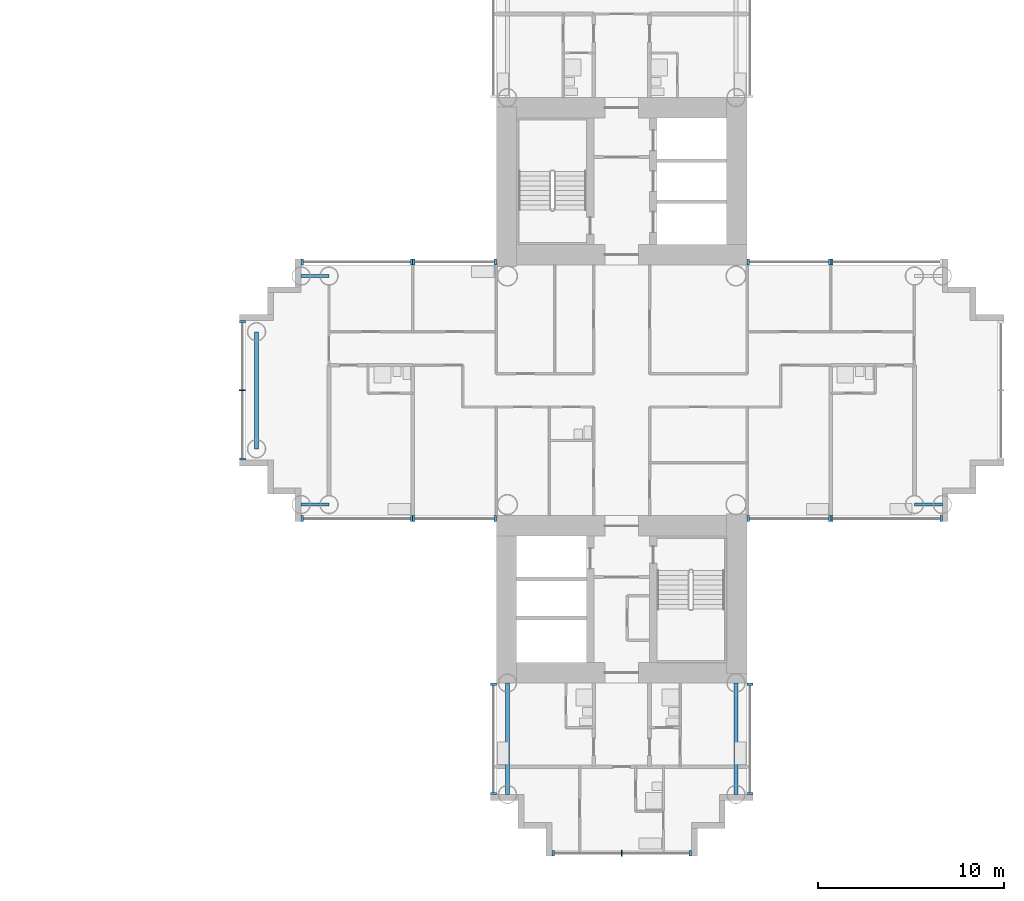
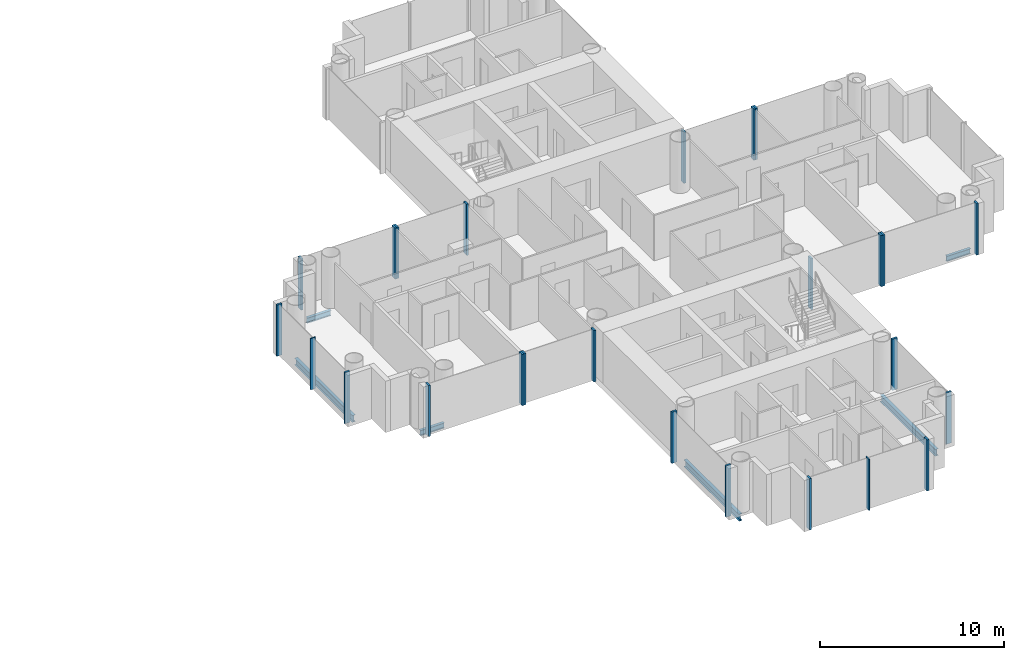
# One storey, part 5 of 21: 25 members, 6 beams, 12 elements without a shape of their own.
"""IFC4 building model written with IfcOpenShell, lengths in metres."""

from ifc_helpers import new_model, si_unit, direction, frame, origin, origin_2d, place, context, subcontext, project, spatial, rectangle, i_section, extrude, material, layer, layer_set, material_profile, profile_set, type_object, element, aggregate, save


model = new_model("IFC4")

# Units and contexts
model_context = context("Model", 3, precision=1e-05, world=origin(), true_north=direction((0.0, 1.0)))
body_context = subcontext(model_context, "Body", "Model", "MODEL_VIEW")
ifc_project = project(units=[si_unit("LENGTHUNIT", "METRE"), si_unit("AREAUNIT", "SQUARE_METRE"), si_unit("VOLUMEUNIT", "CUBIC_METRE"), si_unit("PLANEANGLEUNIT", "RADIAN"), si_unit("MASSUNIT", "GRAM", prefix="KILO")], contexts=[model_context])

# Site, building, storey
site_placement = place(None, origin())
site = spatial("IfcSite", under=ifc_project, at=site_placement, CompositionType="ELEMENT")
building_placement = place(site_placement, origin())
building = spatial("IfcBuilding", under=site, at=building_placement, Name="Ipe Terrace Towers", CompositionType="ELEMENT")
storey_placement = place(building_placement, frame((0.0, 0.0, 48.300048828125)))
storey = spatial("IfcBuildingStorey", under=building, at=storey_placement, Name="L12", CompositionType="ELEMENT", Elevation=48.300048828125)

# Beams
ifc_material_1 = material(Name="Steel S355", Category="steel")
ifc_material_profile_1 = material_profile(ifc_material_1, i_section(OverallWidth=0.175048828125, OverallDepth=0.35009765625, WebThickness=0.007080078125, FlangeThickness=0.010986328125, at=origin_2d()), Name="H-350x175x7x11")
ifc_profile_set_1 = profile_set([ifc_material_profile_1], Name="Steel S355")
beam_type_1 = type_object("IfcBeamType", Name="H04 EDGE BEAM H-350x175x7x11", PredefinedType="BEAM", material=ifc_profile_set_1)
for number, where, z_axis, x_axis, name in (
    (1, (20.25, 6.14990234375, -0.574951171875), (-1.0, 0.0, 0.0), (0.0, -1.0, 0.0), "Edge beam T2-EB-B03-B05"),
    (2, (20.25, -6.14990234375, -0.574951171875), (-1.0, 0.0, 0.0), (0.0, -1.0, 0.0), "Edge beam T2-EB-B04-B06"),
    (3, (51.75, -6.14990234375, -0.574951171875), (1.0, 0.0, 0.0), (0.0, 1.0, 0.0), "Edge beam T2-EB-D03-D05"),
):
    element("IfcBeam", number, at=place(storey_placement, frame(where, z_axis=z_axis, x_axis=x_axis)), inside=storey, type_object=beam_type_1, Name=name, PredefinedType="BEAM", context=body_context, shape_type="SweptSolid", body=[
        extrude(i_section(OverallWidth=0.175048828125, OverallDepth=0.35009765625, WebThickness=0.007080078125, FlangeThickness=0.010986328125, at=origin_2d()), origin(), (0.0, 0.0, 1.0), 1.5),
    ])
ifc_material_2 = material(Name="Steel S355", Category="steel")
ifc_material_profile_2 = material_profile(ifc_material_2, i_section(OverallWidth=0.199951171875, OverallDepth=0.449951171875, WebThickness=0.009033203125, FlangeThickness=0.013916015625, at=origin_2d()), Name="H-450x200x9x14")
ifc_profile_set_2 = profile_set([ifc_material_profile_2], Name="Steel S355")
beam_type_2 = type_object("IfcBeamType", Name="H08 EDGE BEAM H-450x200x9x14", PredefinedType="BEAM", material=ifc_profile_set_2)
beam_placement = place(storey_placement, frame((16.35009765625, 3.14990234375, -0.625), z_axis=(0.0, -1.0, 0.0), x_axis=(1.0, 0.0, 0.0)))
element("IfcBeam", 4, at=beam_placement, inside=storey, type_object=beam_type_2, Name="Edge beam T2-EB-B07-B08", PredefinedType="BEAM", context=body_context, shape_type="SweptSolid", body=[
    extrude(i_section(OverallWidth=0.199951171875, OverallDepth=0.449951171875, WebThickness=0.009033203125, FlangeThickness=0.013916015625, at=origin_2d()), origin(), (0.0, 0.0, 1.0), 6.2998046875),
])
for number, where, z_axis, x_axis, name in (
    (5, (42.14990234375, -15.75, -0.625), (0.0, -1.0, 0.0), (1.0, 0.0, 0.0), "Edge beam T2-EB-C01-C03"),
    (6, (29.85009765625, -15.75, -0.625), (0.0, -1.0, 0.0), (1.0, 0.0, 0.0), "Edge beam T2-EB-C02-C04"),
):
    element("IfcBeam", number, at=place(storey_placement, frame(where, z_axis=z_axis, x_axis=x_axis)), inside=storey, type_object=beam_type_2, Name=name, PredefinedType="BEAM", context=body_context, shape_type="SweptSolid", body=[
        extrude(i_section(OverallWidth=0.199951171875, OverallDepth=0.449951171875, WebThickness=0.009033203125, FlangeThickness=0.013916015625, at=origin_2d()), origin(), (0.0, 0.0, 1.0), 6.0),
    ])

# Curtain wall, members
ifc_material_3 = material(Name="Aluminium alloy 6063-T6", Category="aluminium")
ifc_layer = layer(ifc_material_3, 0.320068359375)
ifc_layer_set = layer_set([ifc_layer], Name="TOWER UNITISED CURTAIN WALL")
curtain_wall_type = type_object("IfcCurtainWallType", Name="TOWER UNITISED CURTAIN WALL", PredefinedType="NOTDEFINED", material=ifc_layer_set)
curtain_wall_1_placement = place(storey_placement, origin())
curtain_wall_1 = element("IfcCurtainWall", 7, at=curtain_wall_1_placement, inside=storey, type_object=curtain_wall_type, Name="T2-CW-L12-04a curtain wall", PredefinedType="NOTDEFINED")
ifc_material_4 = material(Name="Aluminium alloy 6063-T6", Category="aluminium")
ifc_material_profile_3 = material_profile(ifc_material_4, rectangle(XDim=0.320068359375, YDim=0.1201171875, at=origin_2d()), Name="TOWER UNITISED CORNER MULLION 320 x 120")
ifc_profile_set_3 = profile_set([ifc_material_profile_3], Name="Aluminium alloy 6063-T6")
member_type_1 = type_object("IfcMemberType", Name="TOWER UNITISED CORNER MULLION 320 x 120", PredefinedType="MULLION", material=ifc_profile_set_3)
member_1_placement = place(storey_placement, frame((42.909912109375, -21.68994140625, -0.300048828125), z_axis=(0.0, 0.0, 1.0), x_axis=(1.0, 0.0, 0.0)))
member_1 = element("IfcMember", 8, at=member_1_placement, type_object=member_type_1, Name="T2-CW-L12-04a mullion 1", PredefinedType="MULLION", context=body_context, shape_type="SweptSolid", body=[
    extrude(rectangle(XDim=0.320068359375, YDim=0.1201171875, at=origin_2d()), origin(), (0.0, 0.0, 1.0), 3.39990234375),
])
member_2_placement = place(storey_placement, frame((42.909912109375, -15.81103515625, -0.300048828125), z_axis=(0.0, 0.0, 1.0), x_axis=(1.0, 0.0, 0.0)))
member_2 = element("IfcMember", 9, at=member_2_placement, type_object=member_type_1, Name="T2-CW-L12-04a mullion 2", PredefinedType="MULLION", context=body_context, shape_type="SweptSolid", body=[
    extrude(rectangle(XDim=0.320068359375, YDim=0.1201171875, at=origin_2d()), origin(), (0.0, 0.0, 1.0), 3.39990234375),
])
aggregate(curtain_wall_1, [member_1, member_2])

curtain_wall_2_placement = place(storey_placement, origin())
curtain_wall_2 = element("IfcCurtainWall", 10, at=curtain_wall_2_placement, inside=storey, type_object=curtain_wall_type, Name="T2-CW-L12-06a curtain wall", PredefinedType="NOTDEFINED")
member_3_placement = place(storey_placement, frame((42.81005859375, -6.909912109375, -0.300048828125), z_axis=(0.0, 0.0, 1.0), x_axis=(0.0, -1.0, 0.0)))
member_3 = element("IfcMember", 11, at=member_3_placement, type_object=member_type_1, Name="T2-CW-L12-06a mullion 1", PredefinedType="MULLION", context=body_context, shape_type="SweptSolid", body=[
    extrude(rectangle(XDim=0.320068359375, YDim=0.1201171875, at=origin_2d()), origin(), (0.0, 0.0, 1.0), 3.39990234375),
])
member_4_placement = place(storey_placement, frame((47.18994140625, -6.909912109375, -0.300048828125), z_axis=(0.0, 0.0, 1.0), x_axis=(0.0, -1.0, 0.0)))
member_4 = element("IfcMember", 12, at=member_4_placement, type_object=member_type_1, Name="T2-CW-L12-06a mullion 2", PredefinedType="MULLION", context=body_context, shape_type="SweptSolid", body=[
    extrude(rectangle(XDim=0.320068359375, YDim=0.1201171875, at=origin_2d()), origin(), (0.0, 0.0, 1.0), 3.39990234375),
])
aggregate(curtain_wall_2, [member_3, member_4])

curtain_wall_3_placement = place(storey_placement, origin())
curtain_wall_3 = element("IfcCurtainWall", 13, at=curtain_wall_3_placement, inside=storey, type_object=curtain_wall_type, Name="T2-CW-L12-07a curtain wall", PredefinedType="NOTDEFINED")
member_5_placement = place(storey_placement, frame((47.31005859375, -6.909912109375, -0.300048828125), z_axis=(0.0, 0.0, 1.0), x_axis=(0.0, -1.0, 0.0)))
member_5 = element("IfcMember", 14, at=member_5_placement, type_object=member_type_1, Name="T2-CW-L12-07a mullion 1", PredefinedType="MULLION", context=body_context, shape_type="SweptSolid", body=[
    extrude(rectangle(XDim=0.320068359375, YDim=0.1201171875, at=origin_2d()), origin(), (0.0, 0.0, 1.0), 3.39990234375),
])
member_6_placement = place(storey_placement, frame((53.18994140625, -6.909912109375, -0.300048828125), z_axis=(0.0, 0.0, 1.0), x_axis=(0.0, -1.0, 0.0)))
member_6 = element("IfcMember", 15, at=member_6_placement, type_object=member_type_1, Name="T2-CW-L12-07a mullion 2", PredefinedType="MULLION", context=body_context, shape_type="SweptSolid", body=[
    extrude(rectangle(XDim=0.320068359375, YDim=0.1201171875, at=origin_2d()), origin(), (0.0, 0.0, 1.0), 3.39990234375),
])
aggregate(curtain_wall_3, [member_5, member_6])

# Curtain wall, member
curtain_wall_4_placement = place(storey_placement, origin())
curtain_wall_4 = element("IfcCurtainWall", 16, at=curtain_wall_4_placement, inside=storey, type_object=curtain_wall_type, Name="T2-CW-L12-17a curtain wall", PredefinedType="NOTDEFINED")
member_7_placement = place(storey_placement, frame((47.31005859375, 6.909912109375, -0.300048828125), z_axis=(0.0, 0.0, 1.0), x_axis=(0.0, 1.0, 0.0)))
member_7 = element("IfcMember", 17, at=member_7_placement, type_object=member_type_1, Name="T2-CW-L12-17a mullion 2", PredefinedType="MULLION", context=body_context, shape_type="SweptSolid", body=[
    extrude(rectangle(XDim=0.320068359375, YDim=0.1201171875, at=origin_2d()), origin(), (0.0, 0.0, 1.0), 3.39990234375),
])
aggregate(curtain_wall_4, [member_7])

# Curtain wall, members
curtain_wall_5_placement = place(storey_placement, origin())
curtain_wall_5 = element("IfcCurtainWall", 18, at=curtain_wall_5_placement, inside=storey, type_object=curtain_wall_type, Name="T2-CW-L12-18a curtain wall", PredefinedType="NOTDEFINED")
member_8_placement = place(storey_placement, frame((47.18994140625, 6.909912109375, -0.300048828125), z_axis=(0.0, 0.0, 1.0), x_axis=(0.0, 1.0, 0.0)))
member_8 = element("IfcMember", 19, at=member_8_placement, type_object=member_type_1, Name="T2-CW-L12-18a mullion 1", PredefinedType="MULLION", context=body_context, shape_type="SweptSolid", body=[
    extrude(rectangle(XDim=0.320068359375, YDim=0.1201171875, at=origin_2d()), origin(), (0.0, 0.0, 1.0), 3.39990234375),
])
member_9_placement = place(storey_placement, frame((42.81005859375, 6.909912109375, -0.300048828125), z_axis=(0.0, 0.0, 1.0), x_axis=(0.0, 1.0, 0.0)))
member_9 = element("IfcMember", 20, at=member_9_placement, type_object=member_type_1, Name="T2-CW-L12-18a mullion 2", PredefinedType="MULLION", context=body_context, shape_type="SweptSolid", body=[
    extrude(rectangle(XDim=0.320068359375, YDim=0.1201171875, at=origin_2d()), origin(), (0.0, 0.0, 1.0), 3.39990234375),
])
aggregate(curtain_wall_5, [member_8, member_9])

curtain_wall_6_placement = place(storey_placement, origin())
curtain_wall_6 = element("IfcCurtainWall", 21, at=curtain_wall_6_placement, inside=storey, type_object=curtain_wall_type, Name="T2-CW-L12-32a curtain wall", PredefinedType="NOTDEFINED")
member_10_placement = place(storey_placement, frame((29.18994140625, 6.909912109375, -0.300048828125), z_axis=(0.0, 0.0, 1.0), x_axis=(0.0, 1.0, 0.0)))
member_10 = element("IfcMember", 22, at=member_10_placement, type_object=member_type_1, Name="T2-CW-L12-32a mullion 1", PredefinedType="MULLION", context=body_context, shape_type="SweptSolid", body=[
    extrude(rectangle(XDim=0.320068359375, YDim=0.1201171875, at=origin_2d()), origin(), (0.0, 0.0, 1.0), 3.39990234375),
])
member_11_placement = place(storey_placement, frame((24.81005859375, 6.909912109375, -0.300048828125), z_axis=(0.0, 0.0, 1.0), x_axis=(0.0, 1.0, 0.0)))
member_11 = element("IfcMember", 23, at=member_11_placement, type_object=member_type_1, Name="T2-CW-L12-32a mullion 2", PredefinedType="MULLION", context=body_context, shape_type="SweptSolid", body=[
    extrude(rectangle(XDim=0.320068359375, YDim=0.1201171875, at=origin_2d()), origin(), (0.0, 0.0, 1.0), 3.39990234375),
])
aggregate(curtain_wall_6, [member_10, member_11])

curtain_wall_7_placement = place(storey_placement, origin())
curtain_wall_7 = element("IfcCurtainWall", 24, at=curtain_wall_7_placement, inside=storey, type_object=curtain_wall_type, Name="T2-CW-L12-33a curtain wall", PredefinedType="NOTDEFINED")
member_12_placement = place(storey_placement, frame((24.68994140625, 6.909912109375, -0.300048828125), z_axis=(0.0, 0.0, 1.0), x_axis=(0.0, 1.0, 0.0)))
member_12 = element("IfcMember", 25, at=member_12_placement, type_object=member_type_1, Name="T2-CW-L12-33a mullion 1", PredefinedType="MULLION", context=body_context, shape_type="SweptSolid", body=[
    extrude(rectangle(XDim=0.320068359375, YDim=0.1201171875, at=origin_2d()), origin(), (0.0, 0.0, 1.0), 3.39990234375),
])
member_13_placement = place(storey_placement, frame((18.81005859375, 6.909912109375, -0.300048828125), z_axis=(0.0, 0.0, 1.0), x_axis=(0.0, 1.0, 0.0)))
member_13 = element("IfcMember", 26, at=member_13_placement, type_object=member_type_1, Name="T2-CW-L12-33a mullion 2", PredefinedType="MULLION", context=body_context, shape_type="SweptSolid", body=[
    extrude(rectangle(XDim=0.320068359375, YDim=0.1201171875, at=origin_2d()), origin(), (0.0, 0.0, 1.0), 3.39990234375),
])
aggregate(curtain_wall_7, [member_12, member_13])

curtain_wall_8_placement = place(storey_placement, origin())
curtain_wall_8 = element("IfcCurtainWall", 27, at=curtain_wall_8_placement, inside=storey, type_object=curtain_wall_type, Name="T2-CW-L12-38a curtain wall", PredefinedType="NOTDEFINED")
member_14_placement = place(storey_placement, frame((15.590087890625, 3.68994140625, -0.300048828125), z_axis=(0.0, 0.0, 1.0), x_axis=(-1.0, 0.0, 0.0)))
member_14 = element("IfcMember", 28, at=member_14_placement, type_object=member_type_1, Name="T2-CW-L12-38a mullion 1", PredefinedType="MULLION", context=body_context, shape_type="SweptSolid", body=[
    extrude(rectangle(XDim=0.320068359375, YDim=0.1201171875, at=origin_2d()), origin(), (0.0, 0.0, 1.0), 3.39990234375),
])
member_15_placement = place(storey_placement, frame((15.590087890625, -3.68994140625, -0.300048828125), z_axis=(0.0, 0.0, 1.0), x_axis=(-1.0, 0.0, 0.0)))
member_15 = element("IfcMember", 29, at=member_15_placement, type_object=member_type_1, Name="T2-CW-L12-38a mullion 3", PredefinedType="MULLION", context=body_context, shape_type="SweptSolid", body=[
    extrude(rectangle(XDim=0.320068359375, YDim=0.1201171875, at=origin_2d()), origin(), (0.0, 0.0, 1.0), 3.39990234375),
])

curtain_wall_9_placement = place(storey_placement, origin())
curtain_wall_9 = element("IfcCurtainWall", 30, at=curtain_wall_9_placement, inside=storey, type_object=curtain_wall_type, Name="T2-CW-L12-43a curtain wall", PredefinedType="NOTDEFINED")
member_16_placement = place(storey_placement, frame((18.81005859375, -6.909912109375, -0.300048828125), z_axis=(0.0, 0.0, 1.0), x_axis=(0.0, -1.0, 0.0)))
member_16 = element("IfcMember", 31, at=member_16_placement, type_object=member_type_1, Name="T2-CW-L12-43a mullion 1", PredefinedType="MULLION", context=body_context, shape_type="SweptSolid", body=[
    extrude(rectangle(XDim=0.320068359375, YDim=0.1201171875, at=origin_2d()), origin(), (0.0, 0.0, 1.0), 3.39990234375),
])
member_17_placement = place(storey_placement, frame((24.68994140625, -6.909912109375, -0.300048828125), z_axis=(0.0, 0.0, 1.0), x_axis=(0.0, -1.0, 0.0)))
member_17 = element("IfcMember", 32, at=member_17_placement, type_object=member_type_1, Name="T2-CW-L12-43a mullion 2", PredefinedType="MULLION", context=body_context, shape_type="SweptSolid", body=[
    extrude(rectangle(XDim=0.320068359375, YDim=0.1201171875, at=origin_2d()), origin(), (0.0, 0.0, 1.0), 3.39990234375),
])
aggregate(curtain_wall_9, [member_16, member_17])

curtain_wall_10_placement = place(storey_placement, origin())
curtain_wall_10 = element("IfcCurtainWall", 33, at=curtain_wall_10_placement, inside=storey, type_object=curtain_wall_type, Name="T2-CW-L12-44a curtain wall", PredefinedType="NOTDEFINED")
member_18_placement = place(storey_placement, frame((24.81005859375, -6.909912109375, -0.300048828125), z_axis=(0.0, 0.0, 1.0), x_axis=(0.0, -1.0, 0.0)))
member_18 = element("IfcMember", 34, at=member_18_placement, type_object=member_type_1, Name="T2-CW-L12-44a mullion 1", PredefinedType="MULLION", context=body_context, shape_type="SweptSolid", body=[
    extrude(rectangle(XDim=0.320068359375, YDim=0.1201171875, at=origin_2d()), origin(), (0.0, 0.0, 1.0), 3.39990234375),
])
member_19_placement = place(storey_placement, frame((29.18994140625, -6.909912109375, -0.300048828125), z_axis=(0.0, 0.0, 1.0), x_axis=(0.0, -1.0, 0.0)))
member_19 = element("IfcMember", 35, at=member_19_placement, type_object=member_type_1, Name="T2-CW-L12-44a mullion 2", PredefinedType="MULLION", context=body_context, shape_type="SweptSolid", body=[
    extrude(rectangle(XDim=0.320068359375, YDim=0.1201171875, at=origin_2d()), origin(), (0.0, 0.0, 1.0), 3.39990234375),
])
aggregate(curtain_wall_10, [member_18, member_19])

curtain_wall_11_placement = place(storey_placement, origin())
curtain_wall_11 = element("IfcCurtainWall", 36, at=curtain_wall_11_placement, inside=storey, type_object=curtain_wall_type, Name="T2-CW-L12-46b curtain wall", PredefinedType="NOTDEFINED")
member_20_placement = place(storey_placement, frame((29.090087890625, -15.81103515625, -0.300048828125), z_axis=(0.0, 0.0, 1.0), x_axis=(-1.0, 0.0, 0.0)))
member_20 = element("IfcMember", 37, at=member_20_placement, type_object=member_type_1, Name="T2-CW-L12-46b mullion 1", PredefinedType="MULLION", context=body_context, shape_type="SweptSolid", body=[
    extrude(rectangle(XDim=0.320068359375, YDim=0.1201171875, at=origin_2d()), origin(), (0.0, 0.0, 1.0), 3.39990234375),
])
member_21_placement = place(storey_placement, frame((29.090087890625, -21.68994140625, -0.300048828125), z_axis=(0.0, 0.0, 1.0), x_axis=(-1.0, 0.0, 0.0)))
member_21 = element("IfcMember", 38, at=member_21_placement, type_object=member_type_1, Name="T2-CW-L12-46b mullion 2", PredefinedType="MULLION", context=body_context, shape_type="SweptSolid", body=[
    extrude(rectangle(XDim=0.320068359375, YDim=0.1201171875, at=origin_2d()), origin(), (0.0, 0.0, 1.0), 3.39990234375),
])
aggregate(curtain_wall_11, [member_20, member_21])

curtain_wall_12_placement = place(storey_placement, origin())
curtain_wall_12 = element("IfcCurtainWall", 39, at=curtain_wall_12_placement, inside=storey, type_object=curtain_wall_type, Name="T2-CW-L12-51a curtain wall", PredefinedType="NOTDEFINED")
member_22_placement = place(storey_placement, frame((32.31005859375, -24.909912109375, -0.300048828125), z_axis=(0.0, 0.0, 1.0), x_axis=(0.0, -1.0, 0.0)))
member_22 = element("IfcMember", 40, at=member_22_placement, type_object=member_type_1, Name="T2-CW-L12-51a mullion 1", PredefinedType="MULLION", context=body_context, shape_type="SweptSolid", body=[
    extrude(rectangle(XDim=0.320068359375, YDim=0.1201171875, at=origin_2d()), origin(), (0.0, 0.0, 1.0), 3.39990234375),
])
member_23_placement = place(storey_placement, frame((39.68994140625, -24.909912109375, -0.300048828125), z_axis=(0.0, 0.0, 1.0), x_axis=(0.0, -1.0, 0.0)))
member_23 = element("IfcMember", 41, at=member_23_placement, type_object=member_type_1, Name="T2-CW-L12-51a mullion 3", PredefinedType="MULLION", context=body_context, shape_type="SweptSolid", body=[
    extrude(rectangle(XDim=0.320068359375, YDim=0.1201171875, at=origin_2d()), origin(), (0.0, 0.0, 1.0), 3.39990234375),
])

# Member
ifc_material_5 = material(Name="Aluminium alloy 6063-T6", Category="aluminium")
ifc_material_profile_4 = material_profile(ifc_material_5, rectangle(XDim=0.320068359375, YDim=0.06494140625, at=origin_2d()), Name="TOWER UNITISED MULLION 320 x 65")
ifc_profile_set_4 = profile_set([ifc_material_profile_4], Name="Aluminium alloy 6063-T6")
member_type_2 = type_object("IfcMemberType", Name="TOWER UNITISED MULLION 320 x 65", PredefinedType="MULLION", material=ifc_profile_set_4)
member_24_placement = place(storey_placement, frame((15.590087890625, 0.0, -0.300048828125), z_axis=(0.0, 0.0, 1.0), x_axis=(-1.0, 0.0, 0.0)))
member_24 = element("IfcMember", 42, at=member_24_placement, type_object=member_type_2, Name="T2-CW-L12-38a mullion 2", PredefinedType="MULLION", context=body_context, shape_type="SweptSolid", body=[
    extrude(rectangle(XDim=0.320068359375, YDim=0.06494140625, at=origin_2d()), origin(), (0.0, 0.0, 1.0), 3.39990234375),
])

aggregate(curtain_wall_8, [member_14, member_24, member_15])

member_25_placement = place(storey_placement, frame((36.0, -24.909912109375, -0.300048828125), z_axis=(0.0, 0.0, 1.0), x_axis=(0.0, -1.0, 0.0)))
member_25 = element("IfcMember", 43, at=member_25_placement, type_object=member_type_2, Name="T2-CW-L12-51a mullion 2", PredefinedType="MULLION", context=body_context, shape_type="SweptSolid", body=[
    extrude(rectangle(XDim=0.320068359375, YDim=0.06494140625, at=origin_2d()), origin(), (0.0, 0.0, 1.0), 3.39990234375),
])

aggregate(curtain_wall_12, [member_22, member_25, member_23])

save(model, "model.ifc")
